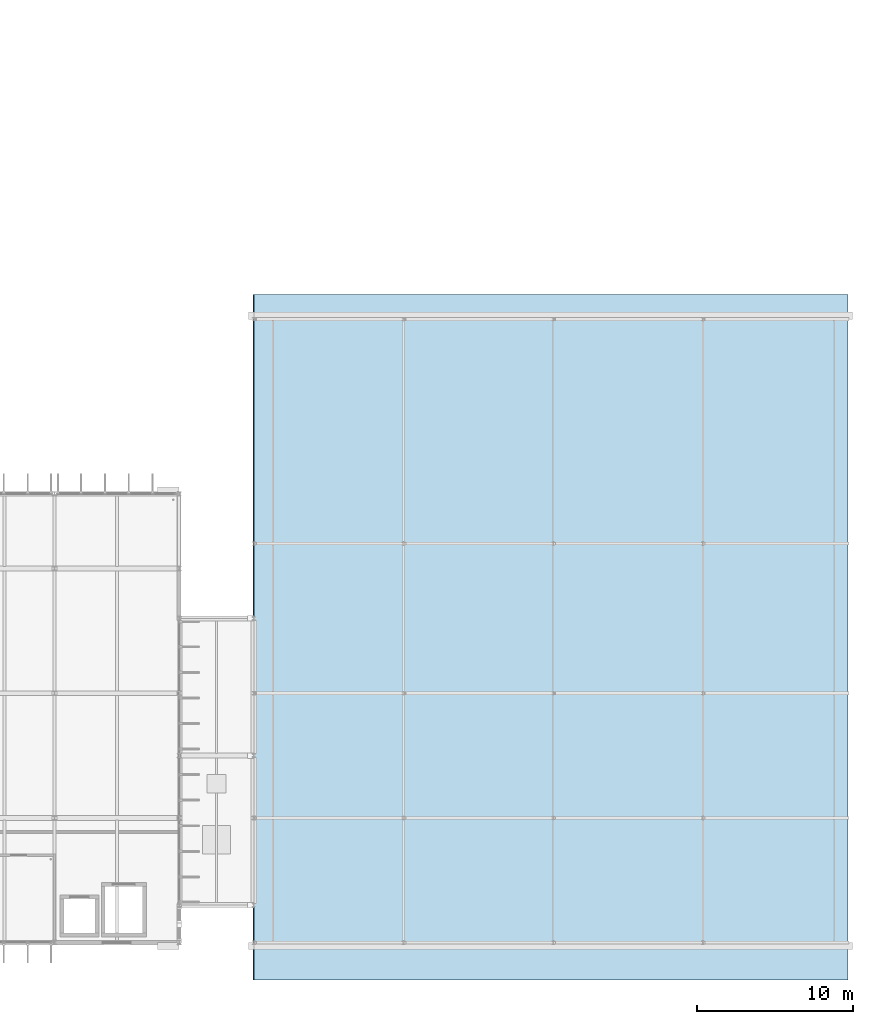
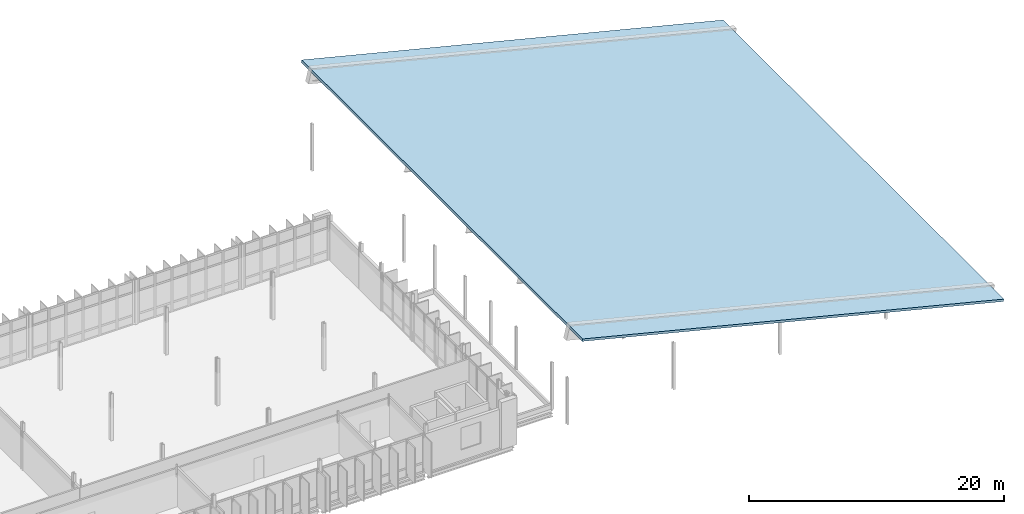
# One storey, part 47 of 93: 1 slab.
"""IFC4 building model written with IfcOpenShell, lengths in metres."""

from ifc_helpers import new_model, si_unit, direction, frame, origin, place, context, subcontext, project, spatial, polyline, outline, extrude, material, layer, layer_set, type_object, element, save


model = new_model("IFC4")

# Units and contexts
model_context = context("Model", 3, precision=1e-05, world=origin(), true_north=direction((0.0, 1.0)))
body_context = subcontext(model_context, "Body", "Model", "MODEL_VIEW")
ifc_project = project(units=[si_unit("LENGTHUNIT", "METRE"), si_unit("AREAUNIT", "SQUARE_METRE"), si_unit("VOLUMEUNIT", "CUBIC_METRE"), si_unit("PLANEANGLEUNIT", "RADIAN"), si_unit("MASSUNIT", "GRAM", prefix="KILO")], contexts=[model_context])

# Site, building, storey
site_placement = place(None, origin())
site = spatial("IfcSite", under=ifc_project, at=site_placement, CompositionType="ELEMENT")
building_placement = place(site_placement, origin())
building = spatial("IfcBuilding", under=site, at=building_placement, Name="Dunescarp Central Library", CompositionType="ELEMENT")
storey_placement = place(building_placement, frame((0.0, 0.0, 14.10009765625)))
storey = spatial("IfcBuildingStorey", under=building, at=storey_placement, Name="L03", CompositionType="ELEMENT", Elevation=14.10009765625)

# Slab
ifc_material = material(Name="Concrete C35/45", Category="concrete")
ifc_layer = layer(ifc_material, 0.219970703125)
ifc_layer_set = layer_set([ifc_layer], Name="Concrete C35/45")
slab_type = type_object("IfcSlabType", Name="STR-SLB-ROOF220", PredefinedType="ROOF", material=ifc_layer_set)
slab_placement = place(storey_placement, frame((129.60009765625, 2.39990234375, 9.599853515625), z_axis=(0.242534162308, 0.0, 0.970142865826), x_axis=(0.970142865826, 0.0, -0.242534162308)))
element("IfcSlab", 1, at=slab_placement, inside=storey, type_object=slab_type, Name="L03 single-pitch roof slab V5", PredefinedType="ROOF", context=body_context, shape_type="SweptSolid", body=[
    extrude(outline(polyline([(0.0, 0.0), (39.27241528821543, 0.0), (39.27241528821543, 44.0), (0.0, 44.0), (0.0, 0.0)])), origin(), (0.0, 0.0, -1.0), 0.219970703125),
])

save(model, "model.ifc")
